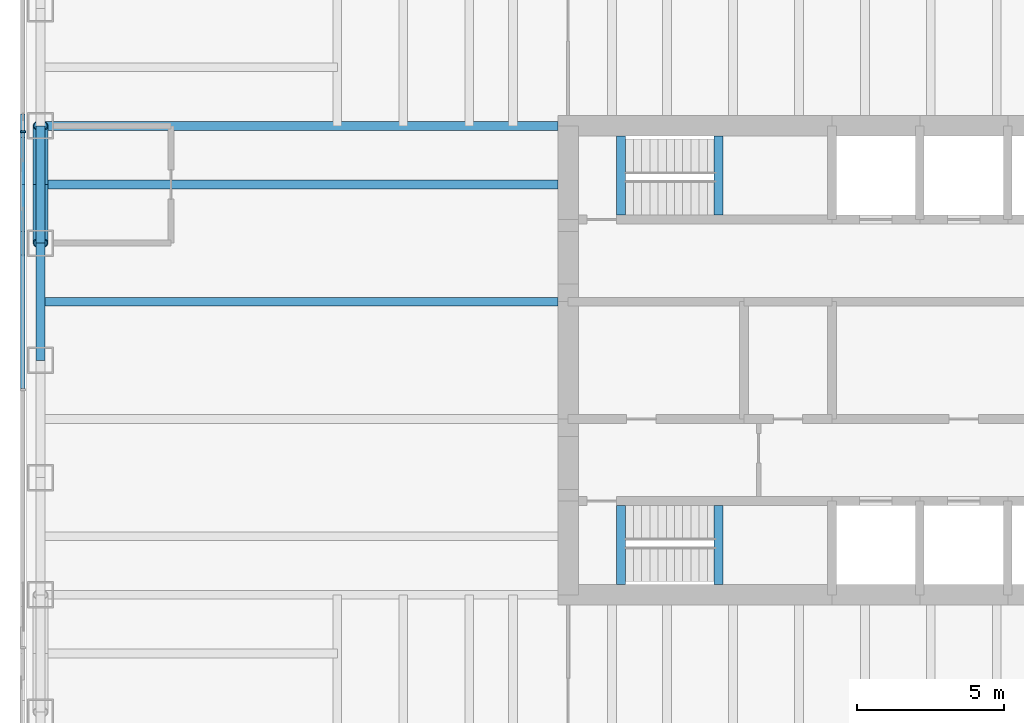
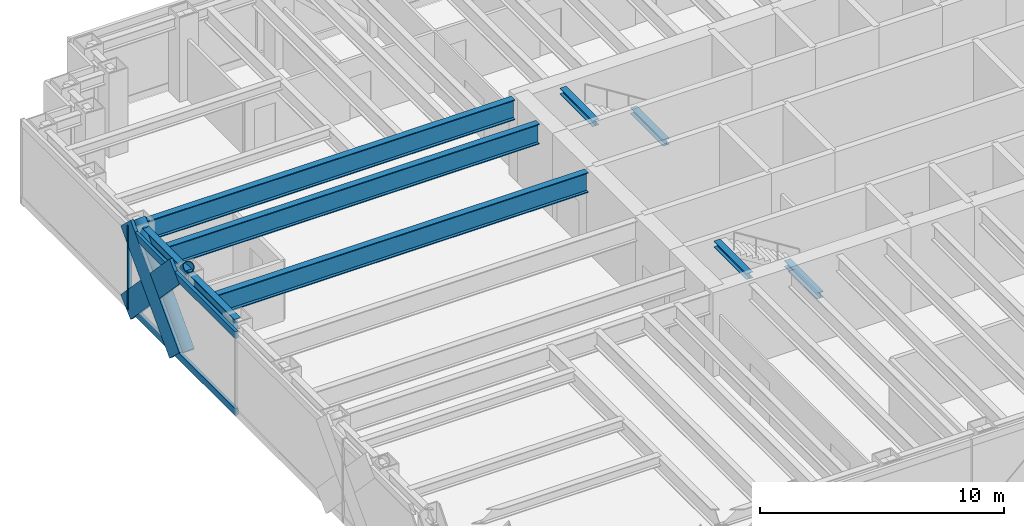
# One storey, part 3 of 17: 9 beams, 7 members, 1 element without a shape of its own.
"""IFC4 building model written with IfcOpenShell, lengths in metres."""

from ifc_helpers import new_model, si_unit, direction, frame, origin, origin_2d, place, context, subcontext, project, spatial, rectangle, hollow_circle, i_section, extrude, material, material_profile, profile_set, type_object, element, aggregate, save


model = new_model("IFC4")

# Units and contexts
model_context = context("Model", 3, precision=1e-05, world=origin(), true_north=direction((0.0, 1.0)))
body_context = subcontext(model_context, "Body", "Model", "MODEL_VIEW")
ifc_project = project(units=[si_unit("LENGTHUNIT", "METRE"), si_unit("AREAUNIT", "SQUARE_METRE"), si_unit("VOLUMEUNIT", "CUBIC_METRE"), si_unit("PLANEANGLEUNIT", "RADIAN"), si_unit("MASSUNIT", "GRAM", prefix="KILO")], contexts=[model_context])

# Site, building, storey
site_placement = place(None, origin())
site = spatial("IfcSite", under=ifc_project, at=site_placement, CompositionType="ELEMENT")
building_placement = place(site_placement, origin())
building = spatial("IfcBuilding", under=site, at=building_placement, Name="Rheinbord Bourse Tower", CompositionType="ELEMENT")
storey_placement = place(building_placement, frame((0.0, 0.0, 321.5)))
storey = spatial("IfcBuildingStorey", under=building, at=storey_placement, Name="L73", CompositionType="ELEMENT", Elevation=321.5)

# Curtain wall, members
ifc_material_1 = material(Name="Dark glass and black aluminium", Category="aluminium")
curtain_wall_type = type_object("IfcCurtainWallType", Name="CW3 DARK GLASS CURTAIN WALL", PredefinedType="USERDEFINED", material=ifc_material_1)
curtain_wall_placement = place(storey_placement, origin())
curtain_wall = element("IfcCurtainWall", 1, at=curtain_wall_placement, inside=storey, type_object=curtain_wall_type, Name="Curtain wall CW3 W L73", ObjectType="UNITISED CURTAIN WALL", PredefinedType="USERDEFINED")
ifc_material_2 = material(Name="Black anodised aluminium", Category="aluminium")
ifc_material_profile_1 = material_profile(ifc_material_2, rectangle(XDim=0.14990234375, YDim=1.10791015625, at=origin_2d()), Name="CW3 DIAGONAL MULLION 1108x150")
ifc_profile_set_1 = profile_set([ifc_material_profile_1], Name="Black anodised aluminium")
member_type_1 = type_object("IfcMemberType", Name="CW3 BLACK DIAGONAL MULLION", PredefinedType="USERDEFINED", material=ifc_profile_set_1)
member_1_placement = place(storey_placement, frame((-0.60009765625, 32.0, 0.0), z_axis=(0.0, -0.689659376744, 0.724133926887), x_axis=(1.0, 0.0, 0.0)))
member_1 = element("IfcMember", 2, at=member_1_placement, type_object=member_type_1, Name="CW3 diagonal mullion b", ObjectType="DIAGONAL MULLION", PredefinedType="USERDEFINED", context=body_context, shape_type="SweptSolid", body=[
    extrude(rectangle(XDim=0.14990234375, YDim=1.10791015625, at=origin_2d()), origin(), (0.0, 0.0, 1.0), 5.800048828125),
])
member_2_placement = place(storey_placement, frame((-0.60009765625, 28.0, 0.0), z_axis=(0.0, 0.689659376744, 0.724133926887), x_axis=(-1.0, 0.0, 0.0)))
member_2 = element("IfcMember", 3, at=member_2_placement, type_object=member_type_1, Name="CW3 diagonal mullion c", ObjectType="DIAGONAL MULLION", PredefinedType="USERDEFINED", context=body_context, shape_type="SweptSolid", body=[
    extrude(rectangle(XDim=0.14990234375, YDim=1.10791015625, at=origin_2d()), origin(), (0.0, 0.0, 1.0), 5.800048828125),
])
ifc_material_3 = material(Name="Black anodised aluminium", Category="aluminium")
ifc_material_profile_2 = material_profile(ifc_material_3, rectangle(XDim=0.199951171875, YDim=0.06494140625, at=origin_2d()), Name="CW3 MULLION 65x200")
ifc_profile_set_2 = profile_set([ifc_material_profile_2], Name="Black anodised aluminium")
member_type_2 = type_object("IfcMemberType", Name="CW3 BLACK MULLION", PredefinedType="MULLION", material=ifc_profile_set_2)
member_3_placement = place(storey_placement, frame((-0.60009765625, 31.800048828125, 0.0), z_axis=(0.0, 0.0, 1.0), x_axis=(1.0, 0.0, 0.0)))
member_3 = element("IfcMember", 4, at=member_3_placement, type_object=member_type_2, Name="CW3 mullion 2", PredefinedType="MULLION", context=body_context, shape_type="SweptSolid", body=[
    extrude(rectangle(XDim=0.199951171875, YDim=0.06494140625, at=origin_2d()), origin(), (0.0, 0.0, 1.0), 4.199951171875),
])
ifc_material_4 = material(Name="Black anodised aluminium", Category="aluminium")
ifc_material_profile_3 = material_profile(ifc_material_4, rectangle(XDim=0.14990234375, YDim=0.35009765625, at=origin_2d()), Name="CW3 TRANSOM 350x150")
ifc_profile_set_3 = profile_set([ifc_material_profile_3], Name="Black anodised aluminium")
member_type_3 = type_object("IfcMemberType", Name="CW3 BLACK TRANSOM", PredefinedType="USERDEFINED", material=ifc_profile_set_3)
member_4_placement = place(storey_placement, frame((-0.60009765625, 31.767578125, 0.175048828125), z_axis=(0.0, -1.0, 0.0), x_axis=(1.0, 0.0, 0.0)))
member_4 = element("IfcMember", 5, at=member_4_placement, type_object=member_type_3, Name="CW3 transom 2.1", ObjectType="TRANSOM", PredefinedType="USERDEFINED", context=body_context, shape_type="SweptSolid", body=[
    extrude(rectangle(XDim=0.14990234375, YDim=0.35009765625, at=origin_2d()), origin(), (0.0, 0.0, 1.0), 8.735107421875),
])
member_5_placement = place(storey_placement, frame((-0.60009765625, 31.767578125, 4.02490234375), z_axis=(0.0, -1.0, 0.0), x_axis=(1.0, 0.0, 0.0)))
member_5 = element("IfcMember", 6, at=member_5_placement, type_object=member_type_3, Name="CW3 transom 2.2", ObjectType="TRANSOM", PredefinedType="USERDEFINED", context=body_context, shape_type="SweptSolid", body=[
    extrude(rectangle(XDim=0.14990234375, YDim=0.35009765625, at=origin_2d()), origin(), (0.0, 0.0, 1.0), 8.735107421875),
])
aggregate(curtain_wall, [member_3, member_4, member_5, member_1, member_2])

# Beams
ifc_material_5 = material(Name="Steel S460", Category="steel")
ifc_material_profile_4 = material_profile(ifc_material_5, i_section(OverallWidth=0.302001953125, OverallDepth=1.008056640625, WebThickness=0.02099609375, FlangeThickness=0.0400390625, at=origin_2d()), Name="HEM 1000")
ifc_profile_set_4 = profile_set([ifc_material_profile_4], Name="Steel S460")
beam_type_1 = type_object("IfcBeamType", Name="END BEAM HEM 1000", PredefinedType="BEAM", material=ifc_profile_set_4)
for number, where, z_axis, x_axis, name in (
    (7, (0.0, 26.0, 3.535888671875), (1.0, 0.0, 0.0), (0.0, 1.0, 0.0), "End beam west 26 L74"),
    (8, (0.0, 30.0, 3.535888671875), (1.0, 0.0, 0.0), (0.0, 1.0, 0.0), "End beam west 30 L74"),
):
    element("IfcBeam", number, at=place(storey_placement, frame(where, z_axis=z_axis, x_axis=x_axis)), inside=storey, type_object=beam_type_1, Name=name, PredefinedType="BEAM", context=body_context, shape_type="SweptSolid", body=[
        extrude(i_section(OverallWidth=0.302001953125, OverallDepth=1.008056640625, WebThickness=0.02099609375, FlangeThickness=0.0400390625, at=origin_2d()), origin(), (0.0, 0.0, 1.0), 17.64990234375),
    ])
ifc_material_6 = material(Name="Steel S460", Category="steel")
ifc_material_profile_5 = material_profile(ifc_material_6, i_section(OverallWidth=0.302001953125, OverallDepth=1.008056640625, WebThickness=0.02099609375, FlangeThickness=0.0400390625, at=origin_2d()), Name="HEM 1000")
ifc_profile_set_5 = profile_set([ifc_material_profile_5], Name="Steel S460")
beam_type_2 = type_object("IfcBeamType", Name="GIRDER HEM 1000", PredefinedType="BEAM", material=ifc_profile_set_5)
beam_placement = place(storey_placement, frame((0.0, 32.0, 3.535888671875), z_axis=(1.0, 0.0, 0.0), x_axis=(0.0, 1.0, 0.0)))
element("IfcBeam", 9, at=beam_placement, inside=storey, type_object=beam_type_2, Name="Girder west 32 L74", PredefinedType="BEAM", context=body_context, shape_type="SweptSolid", body=[
    extrude(i_section(OverallWidth=0.302001953125, OverallDepth=1.008056640625, WebThickness=0.02099609375, FlangeThickness=0.0400390625, at=origin_2d()), origin(), (0.0, 0.0, 1.0), 17.64990234375),
])
ifc_material_7 = material(Name="Steel S460", Category="steel")
ifc_material_profile_6 = material_profile(ifc_material_7, i_section(OverallWidth=0.300048828125, OverallDepth=0.300048828125, WebThickness=0.010986328125, FlangeThickness=0.01904296875, at=origin_2d()), Name="HEB 300")
ifc_profile_set_6 = profile_set([ifc_material_profile_6], Name="Steel S460")
beam_type_3 = type_object("IfcBeamType", Name="LANDING TRIMMER HEB 300", PredefinedType="BEAM", material=ifc_profile_set_6)
for number, where, z_axis, x_axis, name in (
    (10, (23.1298828125, 16.35009765625, 1.75), (0.0, 1.0, 0.0), (-1.0, 0.0, 0.0), "Landing trimmer ST1 L73"),
    (11, (19.800048828125, 16.35009765625, 3.889892578125), (0.0, 1.0, 0.0), (-1.0, 0.0, 0.0), "Well trimmer ST1 under L74"),
    (12, (23.1298828125, 28.949951171875, 1.75), (0.0, 1.0, 0.0), (-1.0, 0.0, 0.0), "Landing trimmer ST2 L73"),
    (13, (19.800048828125, 28.949951171875, 3.889892578125), (0.0, 1.0, 0.0), (-1.0, 0.0, 0.0), "Well trimmer ST2 under L74"),
):
    element("IfcBeam", number, at=place(storey_placement, frame(where, z_axis=z_axis, x_axis=x_axis)), inside=storey, type_object=beam_type_3, Name=name, PredefinedType="BEAM", context=body_context, shape_type="SweptSolid", body=[
        extrude(i_section(OverallWidth=0.300048828125, OverallDepth=0.300048828125, WebThickness=0.010986328125, FlangeThickness=0.01904296875, at=origin_2d()), origin(), (0.0, 0.0, 1.0), 2.699951171875),
    ])

# Members
ifc_material_8 = material(Name="Steel S460", Category="steel")
ifc_material_profile_7 = material_profile(ifc_material_8, hollow_circle(Radius=0.25390625, WallThickness=0.030029296875, at=origin_2d()), Name="CHS 508x30")
ifc_profile_set_7 = profile_set([ifc_material_profile_7], Name="Steel S460")
member_type_4 = type_object("IfcMemberType", Name="MEGABRACE CHS 508x30", PredefinedType="BRACE", material=ifc_profile_set_7)
for number, where, z_axis, x_axis, name in (
    (14, (0.0, 32.0, 0.0), (0.0, -0.689659376744, 0.724133926887), (1.0, 0.0, 0.0), "Megabrace W face line b L73"),
    (15, (0.0, 28.0, 0.0), (0.0, 0.689659376744, 0.724133926887), (-1.0, 0.0, 0.0), "Megabrace W face line c L73"),
):
    element("IfcMember", number, at=place(storey_placement, frame(where, z_axis=z_axis, x_axis=x_axis)), inside=storey, type_object=member_type_4, Name=name, PredefinedType="BRACE", context=body_context, shape_type="SweptSolid", body=[
        extrude(hollow_circle(Radius=0.25390625, WallThickness=0.030029296875, at=origin_2d()), origin(), (0.0, 0.0, 1.0), 5.800048828125),
    ])

# Beams
ifc_material_9 = material(Name="Steel S460", Category="steel")
ifc_material_profile_8 = material_profile(ifc_material_9, i_section(OverallWidth=0.300048828125, OverallDepth=0.550048828125, WebThickness=0.014892578125, FlangeThickness=0.029052734375, at=origin_2d()), Name="HEB 550")
ifc_profile_set_8 = profile_set([ifc_material_profile_8], Name="Steel S460")
beam_type_4 = type_object("IfcBeamType", Name="SPANDREL HEB 550", PredefinedType="SPANDREL", material=ifc_profile_set_8)
for number, where, z_axis, x_axis, name in (
    (16, (0.0, 32.0, 3.764892578125), (0.0, -1.0, 0.0), (1.0, 0.0, 0.0), "Spandrel W-32-W-28 under L74"),
    (17, (0.0, 28.0, 3.764892578125), (0.0, -1.0, 0.0), (1.0, 0.0, 0.0), "Spandrel W-28-W-24 under L74"),
):
    element("IfcBeam", number, at=place(storey_placement, frame(where, z_axis=z_axis, x_axis=x_axis)), inside=storey, type_object=beam_type_4, Name=name, PredefinedType="SPANDREL", context=body_context, shape_type="SweptSolid", body=[
        extrude(i_section(OverallWidth=0.300048828125, OverallDepth=0.550048828125, WebThickness=0.014892578125, FlangeThickness=0.029052734375, at=origin_2d()), origin(), (0.0, 0.0, 1.0), 4.0),
    ])

save(model, "model.ifc")
